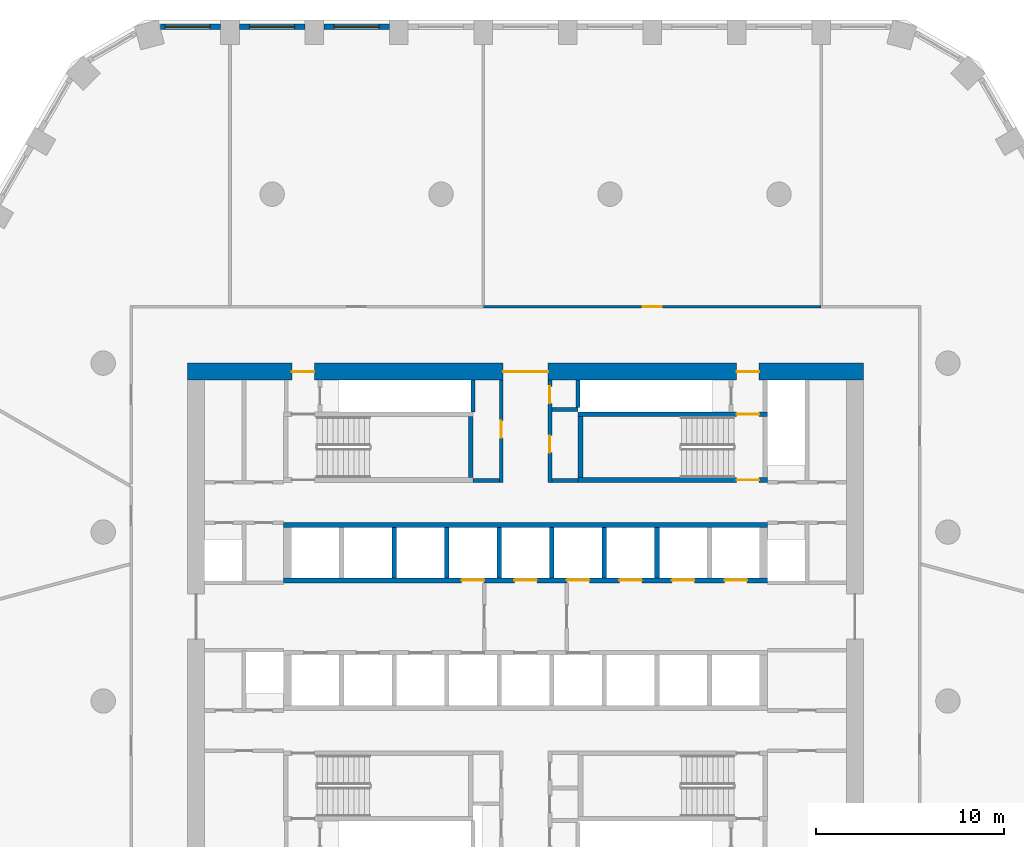
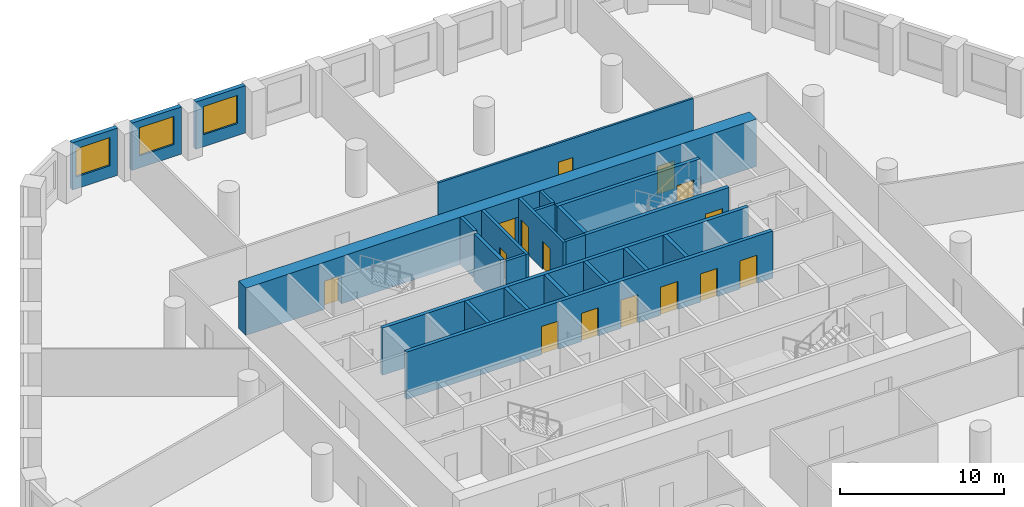
# One storey, part 6 of 9: 24 walls, 15 doors, 3 windows, 18 openings.
"""IFC4 building model written with IfcOpenShell, lengths in metres."""

from ifc_helpers import new_model, si_unit, direction, frame, frame_2d, origin, place, context, subcontext, project, spatial, polyline, rectangle, outline, extrude, material, layer, layer_set, type_object, element, fill, save


model = new_model("IFC4")

# Units and contexts
model_context = context("Model", 3, precision=1e-05, world=origin(), true_north=direction((0.0, 1.0)))
body_context = subcontext(model_context, "Body", "Model", "MODEL_VIEW")
ifc_project = project(units=[si_unit("LENGTHUNIT", "METRE"), si_unit("AREAUNIT", "SQUARE_METRE"), si_unit("VOLUMEUNIT", "CUBIC_METRE"), si_unit("PLANEANGLEUNIT", "RADIAN"), si_unit("MASSUNIT", "GRAM", prefix="KILO")], contexts=[model_context])

# Site, building, storey
site_placement = place(None, origin())
site = spatial("IfcSite", under=ifc_project, at=site_placement, CompositionType="ELEMENT")
building_placement = place(site_placement, origin())
building = spatial("IfcBuilding", under=site, at=building_placement, Name="Dhurran Vertical Campus", CompositionType="ELEMENT")
storey_placement = place(building_placement, frame((0.0, 0.0, 120.300048828125)))
storey = spatial("IfcBuildingStorey", under=building, at=storey_placement, Name="L29", CompositionType="ELEMENT", Elevation=120.300048828125)

# Wall, opening, window
ifc_material_1 = material(Name="Precast concrete C50/60", Category="concrete")
ifc_layer_1 = layer(ifc_material_1, 0.300048828125)
ifc_layer_set_1 = layer_set([ifc_layer_1], Name="Precast concrete C50/60")
wall_type_1 = type_object("IfcWallType", Name="Precast spandrel wall 300", PredefinedType="SOLIDWALL", material=ifc_layer_set_1)
wall_1_placement = place(storey_placement, frame((-7.25048828125, 31.4296875, 0.0), z_axis=(0.0, 0.0, 1.0), x_axis=(-1.0, 0.0, 0.0)))
wall_1 = element("IfcWall", 1, at=wall_1_placement, inside=storey, type_object=wall_type_1, Name="EW1 L29.32", PredefinedType="SOLIDWALL", context=body_context, shape_type="SweptSolid", body=[
    extrude(rectangle(XDim=3.4990234375, YDim=0.300048828125, at=frame_2d((1.74951171875, 0.0))), origin(), (0.0, 0.0, 1.0), 3.52490234375),
])
opening_1_placement = place(wall_1_placement, frame((0.549560546875, 0.0, 0.89990234375)))
opening_1 = element("IfcOpeningElement", 2, at=opening_1_placement, cuts=wall_1, Name="Opening WT1", PredefinedType="OPENING", context=body_context, shape_type="SweptSolid", body=[
    extrude(rectangle(XDim=2.39990234375, YDim=2.10009765625, at=frame_2d((1.199951171875, 1.050048828125))), frame((0.0, 0.159912109375, 0.0), z_axis=(0.0, -1.0, 0.0), x_axis=(1.0, 0.0, 0.0)), (0.0, 0.0, 1.0), 0.320068359375),
])
ifc_material_2 = material(Name="Aluminium frame with solar-control glass", Category="aluminium")
window_type = type_object("IfcWindowType", Name="Punched window 2400 x 2100", PartitioningType="SINGLE_PANEL", PredefinedType="WINDOW", material=ifc_material_2)
window_1_placement = place(opening_1_placement, origin())
window_1 = element("IfcWindow", 3, at=window_1_placement, inside=storey, type_object=window_type, Name="WT1 L29.32", OverallHeight=2.10009765625, OverallWidth=2.39990234375, PartitioningType="SINGLE_PANEL", PredefinedType="WINDOW", context=body_context, shape_type="SweptSolid", body=[
    extrude(rectangle(XDim=2.39990234375, YDim=2.10009765625, at=frame_2d((1.199951171875, 1.050048828125))), frame((0.0, 0.030029296875, 0.0), z_axis=(0.0, -1.0, 0.0), x_axis=(1.0, 0.0, 0.0)), (0.0, 0.0, 1.0), 0.06005859375),
])
fill(opening_1, window_1)

wall_2_placement = place(storey_placement, frame((-11.75048828125, 31.4296875, 0.0), z_axis=(0.0, 0.0, 1.0), x_axis=(-1.0, 0.0, 0.0)))
wall_2 = element("IfcWall", 4, at=wall_2_placement, inside=storey, type_object=wall_type_1, Name="EW1 L29.33", PredefinedType="SOLIDWALL", context=body_context, shape_type="SweptSolid", body=[
    extrude(rectangle(XDim=3.4990234375, YDim=0.300048828125, at=frame_2d((1.74951171875, 0.0))), origin(), (0.0, 0.0, 1.0), 3.52490234375),
])
opening_2_placement = place(wall_2_placement, frame((0.549560546875, 0.0, 0.89990234375)))
opening_2 = element("IfcOpeningElement", 5, at=opening_2_placement, cuts=wall_2, Name="Opening WT1", PredefinedType="OPENING", context=body_context, shape_type="SweptSolid", body=[
    extrude(rectangle(XDim=2.39990234375, YDim=2.10009765625, at=frame_2d((1.199951171875, 1.050048828125))), frame((0.0, 0.159912109375, 0.0), z_axis=(0.0, -1.0, 0.0), x_axis=(1.0, 0.0, 0.0)), (0.0, 0.0, 1.0), 0.320068359375),
])
window_2_placement = place(opening_2_placement, origin())
window_2 = element("IfcWindow", 6, at=window_2_placement, inside=storey, type_object=window_type, Name="WT1 L29.33", OverallHeight=2.10009765625, OverallWidth=2.39990234375, PartitioningType="SINGLE_PANEL", PredefinedType="WINDOW", context=body_context, shape_type="SweptSolid", body=[
    extrude(rectangle(XDim=2.39990234375, YDim=2.10009765625, at=frame_2d((1.199951171875, 1.050048828125))), frame((0.0, 0.030029296875, 0.0), z_axis=(0.0, -1.0, 0.0), x_axis=(1.0, 0.0, 0.0)), (0.0, 0.0, 1.0), 0.06005859375),
])
fill(opening_2, window_2)

wall_3_placement = place(storey_placement, frame((-16.25048828125, 31.4296875, 0.0), z_axis=(0.0, 0.0, 1.0), x_axis=(-1.0, 0.0, 0.0)))
wall_3 = element("IfcWall", 7, at=wall_3_placement, inside=storey, type_object=wall_type_1, Name="EW1 L29.34", PredefinedType="SOLIDWALL", context=body_context, shape_type="SweptSolid", body=[
    extrude(rectangle(XDim=3.1923828125, YDim=0.300048828125, at=frame_2d((1.59619140625, 0.0))), origin(), (0.0, 0.0, 1.0), 3.52490234375),
])
opening_3_placement = place(wall_3_placement, frame((0.549560546875, 0.0, 0.89990234375)))
opening_3 = element("IfcOpeningElement", 8, at=opening_3_placement, cuts=wall_3, Name="Opening WT1", PredefinedType="OPENING", context=body_context, shape_type="SweptSolid", body=[
    extrude(rectangle(XDim=2.39990234375, YDim=2.10009765625, at=frame_2d((1.199951171875, 1.050048828125))), frame((0.0, 0.159912109375, 0.0), z_axis=(0.0, -1.0, 0.0), x_axis=(1.0, 0.0, 0.0)), (0.0, 0.0, 1.0), 0.320068359375),
])
window_3_placement = place(opening_3_placement, origin())
window_3 = element("IfcWindow", 9, at=window_3_placement, inside=storey, type_object=window_type, Name="WT1 L29.34", OverallHeight=2.10009765625, OverallWidth=2.39990234375, PartitioningType="SINGLE_PANEL", PredefinedType="WINDOW", context=body_context, shape_type="SweptSolid", body=[
    extrude(rectangle(XDim=2.39990234375, YDim=2.10009765625, at=frame_2d((1.199951171875, 1.050048828125))), frame((0.0, 0.030029296875, 0.0), z_axis=(0.0, -1.0, 0.0), x_axis=(1.0, 0.0, 0.0)), (0.0, 0.0, 1.0), 0.06005859375),
])
fill(opening_3, window_3)

# Wall, openings, doors
ifc_material_3 = material(Name="Concrete C60/75", Category="concrete")
ifc_layer_2 = layer(ifc_material_3, 0.89990234375)
ifc_layer_set_2 = layer_set([ifc_layer_2], Name="Concrete C60/75")
wall_type_2 = type_object("IfcWallType", Name="co-CORE-WALL-C0-900", PredefinedType="SHEAR", material=ifc_layer_set_2)
wall_4_placement = place(storey_placement, frame((-18.0, 13.050048828125, 0.0), z_axis=(0.0, 0.0, 1.0), x_axis=(1.0, 0.0, 0.0)))
wall_4 = element("IfcWall", 10, at=wall_4_placement, inside=storey, type_object=wall_type_2, Name="Core wall N L29", PredefinedType="SHEAR", context=body_context, shape_type="SweptSolid", body=[
    extrude(rectangle(XDim=36.0, YDim=0.89990234375, at=frame_2d((18.0, 0.0))), origin(), (0.0, 0.0, 1.0), 3.52490234375),
])
opening_4_placement = place(wall_4_placement, frame((16.800048828125, 0.0, 0.0)))
opening_4 = element("IfcOpeningElement", 11, at=opening_4_placement, cuts=wall_4, Name="Opening CV1", PredefinedType="OPENING", context=body_context, shape_type="SweptSolid", body=[
    extrude(rectangle(XDim=2.39990234375, YDim=2.10009765625, at=frame_2d((1.199951171875, 1.050048828125))), frame((0.0, 0.4599609375, 0.0), z_axis=(0.0, -1.0, 0.0), x_axis=(1.0, 0.0, 0.0)), (0.0, 0.0, 1.0), 0.919921875),
])
opening_5_placement = place(wall_4_placement, frame((5.550048828125, 0.0, 0.0)))
opening_5 = element("IfcOpeningElement", 12, at=opening_5_placement, cuts=wall_4, Name="Opening XD1", PredefinedType="OPENING", context=body_context, shape_type="SweptSolid", body=[
    extrude(rectangle(XDim=1.199951171875, YDim=2.10009765625, at=frame_2d((0.60009765625, 1.050048828125))), frame((0.0, 0.4599609375, 0.0), z_axis=(0.0, -1.0, 0.0), x_axis=(1.0, 0.0, 0.0)), (0.0, 0.0, 1.0), 0.919921875),
])
opening_6_placement = place(wall_4_placement, frame((29.25, 0.0, 0.0)))
opening_6 = element("IfcOpeningElement", 13, at=opening_6_placement, cuts=wall_4, Name="Opening XD2", PredefinedType="OPENING", context=body_context, shape_type="SweptSolid", body=[
    extrude(rectangle(XDim=1.199951171875, YDim=2.10009765625, at=frame_2d((0.60009765625, 1.050048828125))), frame((0.0, 0.4599609375, 0.0), z_axis=(0.0, -1.0, 0.0), x_axis=(1.0, 0.0, 0.0)), (0.0, 0.0, 1.0), 0.919921875),
])
ifc_material_4 = material(Name="Fire-rated glazed door set")
door_type_1 = type_object("IfcDoorType", Name="co-D-LOBBY 2400x2100", OperationType="DOUBLE_DOOR_DOUBLE_SWING", PredefinedType="DOOR", material=ifc_material_4)
door_1_placement = place(opening_4_placement, origin())
door_1 = element("IfcDoor", 14, at=door_1_placement, inside=storey, type_object=door_type_1, Name="Core vestibule door N L29", OperationType="DOUBLE_DOOR_DOUBLE_SWING", OverallHeight=2.10009765625, OverallWidth=2.39990234375, PredefinedType="DOOR", context=body_context, shape_type="SweptSolid", body=[
    extrude(rectangle(XDim=2.39990234375, YDim=2.10009765625, at=frame_2d((1.199951171875, 1.050048828125))), frame((0.0, 0.02490234375, 0.0), z_axis=(0.0, -1.0, 0.0), x_axis=(1.0, 0.0, 0.0)), (0.0, 0.0, 1.0), 0.050048828125),
])
fill(opening_4, door_1)
ifc_material_5 = material(Name="Fire-rated steel door set", Category="steel")
door_type_2 = type_object("IfcDoorType", Name="co-D-STAIR-EXIT 1200x2100", OperationType="SINGLE_SWING_RIGHT", PredefinedType="DOOR", material=ifc_material_5)
door_2_placement = place(opening_5_placement, origin())
door_2 = element("IfcDoor", 15, at=door_2_placement, inside=storey, type_object=door_type_2, Name="Stair ST1 exit door L29", OperationType="SINGLE_SWING_RIGHT", OverallHeight=2.10009765625, OverallWidth=1.199951171875, PredefinedType="DOOR", context=body_context, shape_type="SweptSolid", body=[
    extrude(rectangle(XDim=1.199951171875, YDim=2.10009765625, at=frame_2d((0.60009765625, 1.050048828125))), frame((0.0, 0.02490234375, 0.0), z_axis=(0.0, -1.0, 0.0), x_axis=(1.0, 0.0, 0.0)), (0.0, 0.0, 1.0), 0.050048828125),
])
fill(opening_5, door_2)
door_3_placement = place(opening_6_placement, origin())
door_3 = element("IfcDoor", 16, at=door_3_placement, inside=storey, type_object=door_type_2, Name="Stair ST2 exit door L29", OperationType="SINGLE_SWING_RIGHT", OverallHeight=2.10009765625, OverallWidth=1.199951171875, PredefinedType="DOOR", context=body_context, shape_type="SweptSolid", body=[
    extrude(rectangle(XDim=1.199951171875, YDim=2.10009765625, at=frame_2d((0.60009765625, 1.050048828125))), frame((0.0, 0.02490234375, 0.0), z_axis=(0.0, -1.0, 0.0), x_axis=(1.0, 0.0, 0.0)), (0.0, 0.0, 1.0), 0.050048828125),
])
fill(opening_6, door_3)

# Walls
ifc_material_6 = material(Name="Fire-rated masonry blockwork", Category="masonry")
ifc_layer_3 = layer(ifc_material_6, 0.199951171875)
ifc_layer_set_3 = layer_set([ifc_layer_3], Name="Fire-rated masonry blockwork")
wall_type_3 = type_object("IfcWallType", Name="co-FIRE-PARTITION-200", PredefinedType="PARTITIONING", material=ifc_layer_set_3)
for number, where, z_axis, x_axis, name in (
    (17, (-2.800048828125, 7.25, 0.0), (0.0, 0.0, 1.0), (1.0, 0.0, 0.0), "Core partition sl-NW-S L29"),
    (18, (1.39990234375, 7.25, 0.0), (0.0, 0.0, 1.0), (1.0, 0.0, 0.0), "Core partition sl-NE-S L29"),
    (19, (1.39990234375, 11.02490234375, 0.0), (0.0, 0.0, 1.0), (1.0, 0.0, 0.0), "Core partition sl-NE-cut0 L29"),
):
    element("IfcWall", number, at=place(storey_placement, frame(where, z_axis=z_axis, x_axis=x_axis)), inside=storey, type_object=wall_type_3, Name=name, PredefinedType="PARTITIONING", context=body_context, shape_type="SweptSolid", body=[
        extrude(rectangle(XDim=1.400146484375, YDim=0.199951171875, at=frame_2d((0.7001953125, 0.0))), origin(), (0.0, 0.0, 1.0), 3.52490234375),
    ])

# Wall, opening, door
wall_5_placement = place(storey_placement, frame((-1.300048828125, 7.14990234375, 0.0), z_axis=(0.0, 0.0, 1.0), x_axis=(0.0, 1.0, 0.0)))
wall_5 = element("IfcWall", 20, at=wall_5_placement, inside=storey, type_object=wall_type_3, Name="Core partition vest-NW L29", PredefinedType="PARTITIONING", context=body_context, shape_type="SweptSolid", body=[
    extrude(rectangle(XDim=5.4501953125, YDim=0.199951171875, at=frame_2d((2.72509765625, 0.0))), origin(), (0.0, 0.0, 1.0), 3.52490234375),
])
opening_7_placement = place(wall_5_placement, frame((2.375, 0.0, 0.0)))
opening_7 = element("IfcOpeningElement", 21, at=opening_7_placement, cuts=wall_5, Name="Opening T08-C6", PredefinedType="OPENING", context=body_context, shape_type="SweptSolid", body=[
    extrude(rectangle(XDim=0.89990234375, YDim=2.10009765625, at=frame_2d((0.449951171875, 1.050048828125))), frame((0.0, 0.10986328125, 0.0), z_axis=(0.0, -1.0, 0.0), x_axis=(1.0, 0.0, 0.0)), (0.0, 0.0, 1.0), 0.219970703125),
])
ifc_material_7 = material(Name="Fire-rated timber door set", Category="wood")
door_type_3 = type_object("IfcDoorType", Name="co-D-ROOM 900x2100", OperationType="SINGLE_SWING_LEFT", PredefinedType="DOOR", material=ifc_material_7)
door_4_placement = place(opening_7_placement, origin())
door_4 = element("IfcDoor", 22, at=door_4_placement, inside=storey, type_object=door_type_3, Name="Housekeeping store door L29", OperationType="SINGLE_SWING_LEFT", OverallHeight=2.10009765625, OverallWidth=0.89990234375, PredefinedType="DOOR", context=body_context, shape_type="SweptSolid", body=[
    extrude(rectangle(XDim=0.89990234375, YDim=2.10009765625, at=frame_2d((0.449951171875, 1.050048828125))), frame((0.0, 0.02490234375, 0.0), z_axis=(0.0, -1.0, 0.0), x_axis=(1.0, 0.0, 0.0)), (0.0, 0.0, 1.0), 0.050048828125),
])
fill(opening_7, door_4)

# Wall, openings, doors
wall_6_placement = place(storey_placement, frame((1.300048828125, 7.14990234375, 0.0), z_axis=(0.0, 0.0, 1.0), x_axis=(0.0, 1.0, 0.0)))
wall_6 = element("IfcWall", 23, at=wall_6_placement, inside=storey, type_object=wall_type_3, Name="Core partition vest-NE L29", PredefinedType="PARTITIONING", context=body_context, shape_type="SweptSolid", body=[
    extrude(rectangle(XDim=5.4501953125, YDim=0.199951171875, at=frame_2d((2.72509765625, 0.0))), origin(), (0.0, 0.0, 1.0), 3.52490234375),
])
opening_8_placement = place(wall_6_placement, frame((1.58740234375, 0.0, 0.0)))
opening_8 = element("IfcOpeningElement", 24, at=opening_8_placement, cuts=wall_6, Name="Opening T08-C7", PredefinedType="OPENING", context=body_context, shape_type="SweptSolid", body=[
    extrude(rectangle(XDim=0.89990234375, YDim=2.10009765625, at=frame_2d((0.449951171875, 1.050048828125))), frame((0.0, 0.10986328125, 0.0), z_axis=(0.0, -1.0, 0.0), x_axis=(1.0, 0.0, 0.0)), (0.0, 0.0, 1.0), 0.219970703125),
])
opening_9_placement = place(wall_6_placement, frame((4.21240234375, 0.0, 0.0)))
opening_9 = element("IfcOpeningElement", 25, at=opening_9_placement, cuts=wall_6, Name="Opening T08-C8", PredefinedType="OPENING", context=body_context, shape_type="SweptSolid", body=[
    extrude(rectangle(XDim=0.89990234375, YDim=2.10009765625, at=frame_2d((0.449951171875, 1.050048828125))), frame((0.0, 0.10986328125, 0.0), z_axis=(0.0, -1.0, 0.0), x_axis=(1.0, 0.0, 0.0)), (0.0, 0.0, 1.0), 0.219970703125),
])
door_5_placement = place(opening_8_placement, origin())
door_5 = element("IfcDoor", 26, at=door_5_placement, inside=storey, type_object=door_type_3, Name="Fire equipment store door L29", OperationType="SINGLE_SWING_LEFT", OverallHeight=2.10009765625, OverallWidth=0.89990234375, PredefinedType="DOOR", context=body_context, shape_type="SweptSolid", body=[
    extrude(rectangle(XDim=0.89990234375, YDim=2.10009765625, at=frame_2d((0.449951171875, 1.050048828125))), frame((0.0, 0.02490234375, 0.0), z_axis=(0.0, -1.0, 0.0), x_axis=(1.0, 0.0, 0.0)), (0.0, 0.0, 1.0), 0.050048828125),
])
fill(opening_8, door_5)
door_6_placement = place(opening_9_placement, origin())
door_6 = element("IfcDoor", 27, at=door_6_placement, inside=storey, type_object=door_type_3, Name="Communications room door L29", OperationType="SINGLE_SWING_LEFT", OverallHeight=2.10009765625, OverallWidth=0.89990234375, PredefinedType="DOOR", context=body_context, shape_type="SweptSolid", body=[
    extrude(rectangle(XDim=0.89990234375, YDim=2.10009765625, at=frame_2d((0.449951171875, 1.050048828125))), frame((0.0, 0.02490234375, 0.0), z_axis=(0.0, -1.0, 0.0), x_axis=(1.0, 0.0, 0.0)), (0.0, 0.0, 1.0), 0.050048828125),
])
fill(opening_9, door_6)

# Walls
wall_7_placement = place(storey_placement, frame((-2.800048828125, 10.90087890625, 0.0), z_axis=(0.0, 0.0, 1.0), x_axis=(0.0, 1.0, 0.0)))
element("IfcWall", 28, at=wall_7_placement, inside=storey, type_object=wall_type_3, Name="Riser enclosure wall L29", PredefinedType="PARTITIONING", context=body_context, shape_type="SweptSolid", body=[
    extrude(rectangle(XDim=1.6982421875, YDim=0.199951171875, at=frame_2d((0.84912109375, 0.0))), origin(), (0.0, 0.0, 1.0), 3.52490234375),
])
wall_8_placement = place(storey_placement, frame((2.800048828125, 12.59912109375, 0.0), z_axis=(0.0, 0.0, 1.0), x_axis=(0.0, -1.0, 0.0)))
element("IfcWall", 29, at=wall_8_placement, inside=storey, type_object=wall_type_3, Name="Riser enclosure wall L29", PredefinedType="PARTITIONING", context=body_context, shape_type="SweptSolid", body=[
    extrude(rectangle(XDim=1.47314453125, YDim=0.199951171875, at=frame_2d((0.736572265625, 0.0))), origin(), (0.0, 0.0, 1.0), 3.52490234375),
])

# Wall, openings, doors
ifc_material_8 = material(Name="Concrete C50/60", Category="concrete")
ifc_layer_4 = layer(ifc_material_8, 0.25)
ifc_layer_set_4 = layer_set([ifc_layer_4], Name="Concrete C50/60")
wall_type_4 = type_object("IfcWallType", Name="co-SHAFT-FRONT-250", PredefinedType="SHEAR", material=ifc_layer_set_4)
wall_9_placement = place(storey_placement, frame((-12.89990234375, 1.925048828125, 0.0), z_axis=(0.0, 0.0, 1.0), x_axis=(1.0, 0.0, 0.0)))
wall_9 = element("IfcWall", 30, at=wall_9_placement, inside=storey, type_object=wall_type_4, Name="Lift landing wall N L29", PredefinedType="SHEAR", context=body_context, shape_type="SweptSolid", body=[
    extrude(rectangle(XDim=25.7998046875, YDim=0.25, at=frame_2d((12.89990234375, 0.0))), origin(), (0.0, 0.0, 1.0), 3.52490234375),
])
opening_10_placement = place(wall_9_placement, frame((9.5, 0.0, 0.0)))
opening_10 = element("IfcOpeningElement", 31, at=opening_10_placement, cuts=wall_9, Name="Opening LD", PredefinedType="OPENING", context=body_context, shape_type="SweptSolid", body=[
    extrude(rectangle(XDim=1.199951171875, YDim=2.10009765625, at=frame_2d((0.60009765625, 1.050048828125))), frame((0.0, 0.135009765625, 0.0), z_axis=(0.0, -1.0, 0.0), x_axis=(1.0, 0.0, 0.0)), (0.0, 0.0, 1.0), 0.27001953125),
])
opening_11_placement = place(wall_9_placement, frame((12.300048828125, 0.0, 0.0)))
opening_11 = element("IfcOpeningElement", 32, at=opening_11_placement, cuts=wall_9, Name="Opening LD", PredefinedType="OPENING", context=body_context, shape_type="SweptSolid", body=[
    extrude(rectangle(XDim=1.199951171875, YDim=2.10009765625, at=frame_2d((0.60009765625, 1.050048828125))), frame((0.0, 0.135009765625, 0.0), z_axis=(0.0, -1.0, 0.0), x_axis=(1.0, 0.0, 0.0)), (0.0, 0.0, 1.0), 0.27001953125),
])
opening_12_placement = place(wall_9_placement, frame((15.10009765625, 0.0, 0.0)))
opening_12 = element("IfcOpeningElement", 33, at=opening_12_placement, cuts=wall_9, Name="Opening LD", PredefinedType="OPENING", context=body_context, shape_type="SweptSolid", body=[
    extrude(rectangle(XDim=1.199951171875, YDim=2.10009765625, at=frame_2d((0.60009765625, 1.050048828125))), frame((0.0, 0.135009765625, 0.0), z_axis=(0.0, -1.0, 0.0), x_axis=(1.0, 0.0, 0.0)), (0.0, 0.0, 1.0), 0.27001953125),
])
opening_13_placement = place(wall_9_placement, frame((17.89990234375, 0.0, 0.0)))
opening_13 = element("IfcOpeningElement", 34, at=opening_13_placement, cuts=wall_9, Name="Opening LD", PredefinedType="OPENING", context=body_context, shape_type="SweptSolid", body=[
    extrude(rectangle(XDim=1.199951171875, YDim=2.10009765625, at=frame_2d((0.60009765625, 1.050048828125))), frame((0.0, 0.135009765625, 0.0), z_axis=(0.0, -1.0, 0.0), x_axis=(1.0, 0.0, 0.0)), (0.0, 0.0, 1.0), 0.27001953125),
])
opening_14_placement = place(wall_9_placement, frame((20.699951171875, 0.0, 0.0)))
opening_14 = element("IfcOpeningElement", 35, at=opening_14_placement, cuts=wall_9, Name="Opening LD", PredefinedType="OPENING", context=body_context, shape_type="SweptSolid", body=[
    extrude(rectangle(XDim=1.199951171875, YDim=2.10009765625, at=frame_2d((0.60009765625, 1.050048828125))), frame((0.0, 0.135009765625, 0.0), z_axis=(0.0, -1.0, 0.0), x_axis=(1.0, 0.0, 0.0)), (0.0, 0.0, 1.0), 0.27001953125),
])
opening_15_placement = place(wall_9_placement, frame((23.5, 0.0, 0.0)))
opening_15 = element("IfcOpeningElement", 36, at=opening_15_placement, cuts=wall_9, Name="Opening LD", PredefinedType="OPENING", context=body_context, shape_type="SweptSolid", body=[
    extrude(rectangle(XDim=1.199951171875, YDim=2.10009765625, at=frame_2d((0.60009765625, 1.050048828125))), frame((0.0, 0.135009765625, 0.0), z_axis=(0.0, -1.0, 0.0), x_axis=(1.0, 0.0, 0.0)), (0.0, 0.0, 1.0), 0.27001953125),
])
ifc_material_9 = material(Name="Stainless steel landing door", Category="steel")
door_type_4 = type_object("IfcDoorType", Name="co-D-LANDING 1200x2100", OperationType="DOUBLE_DOOR_SLIDING", PredefinedType="DOOR", material=ifc_material_9)
door_7_placement = place(opening_10_placement, origin())
door_7 = element("IfcDoor", 37, at=door_7_placement, inside=storey, type_object=door_type_4, Name="Landing door LR1 L29", OperationType="DOUBLE_DOOR_SLIDING", OverallHeight=2.10009765625, OverallWidth=1.199951171875, PredefinedType="DOOR", context=body_context, shape_type="SweptSolid", body=[
    extrude(rectangle(XDim=1.199951171875, YDim=2.10009765625, at=frame_2d((0.60009765625, 1.050048828125))), frame((0.0, 0.02490234375, 0.0), z_axis=(0.0, -1.0, 0.0), x_axis=(1.0, 0.0, 0.0)), (0.0, 0.0, 1.0), 0.050048828125),
])
fill(opening_10, door_7)
door_8_placement = place(opening_11_placement, origin())
door_8 = element("IfcDoor", 38, at=door_8_placement, inside=storey, type_object=door_type_4, Name="Landing door FF1 L29", OperationType="DOUBLE_DOOR_SLIDING", OverallHeight=2.10009765625, OverallWidth=1.199951171875, PredefinedType="DOOR", context=body_context, shape_type="SweptSolid", body=[
    extrude(rectangle(XDim=1.199951171875, YDim=2.10009765625, at=frame_2d((0.60009765625, 1.050048828125))), frame((0.0, 0.02490234375, 0.0), z_axis=(0.0, -1.0, 0.0), x_axis=(1.0, 0.0, 0.0)), (0.0, 0.0, 1.0), 0.050048828125),
])
fill(opening_11, door_8)
door_9_placement = place(opening_12_placement, origin())
door_9 = element("IfcDoor", 39, at=door_9_placement, inside=storey, type_object=door_type_4, Name="Landing door LR2 L29", OperationType="DOUBLE_DOOR_SLIDING", OverallHeight=2.10009765625, OverallWidth=1.199951171875, PredefinedType="DOOR", context=body_context, shape_type="SweptSolid", body=[
    extrude(rectangle(XDim=1.199951171875, YDim=2.10009765625, at=frame_2d((0.60009765625, 1.050048828125))), frame((0.0, 0.02490234375, 0.0), z_axis=(0.0, -1.0, 0.0), x_axis=(1.0, 0.0, 0.0)), (0.0, 0.0, 1.0), 0.050048828125),
])
fill(opening_12, door_9)
door_10_placement = place(opening_13_placement, origin())
door_10 = element("IfcDoor", 40, at=door_10_placement, inside=storey, type_object=door_type_4, Name="Landing door LR3 L29", OperationType="DOUBLE_DOOR_SLIDING", OverallHeight=2.10009765625, OverallWidth=1.199951171875, PredefinedType="DOOR", context=body_context, shape_type="SweptSolid", body=[
    extrude(rectangle(XDim=1.199951171875, YDim=2.10009765625, at=frame_2d((0.60009765625, 1.050048828125))), frame((0.0, 0.02490234375, 0.0), z_axis=(0.0, -1.0, 0.0), x_axis=(1.0, 0.0, 0.0)), (0.0, 0.0, 1.0), 0.050048828125),
])
fill(opening_13, door_10)
door_11_placement = place(opening_14_placement, origin())
door_11 = element("IfcDoor", 41, at=door_11_placement, inside=storey, type_object=door_type_4, Name="Landing door LR4 L29", OperationType="DOUBLE_DOOR_SLIDING", OverallHeight=2.10009765625, OverallWidth=1.199951171875, PredefinedType="DOOR", context=body_context, shape_type="SweptSolid", body=[
    extrude(rectangle(XDim=1.199951171875, YDim=2.10009765625, at=frame_2d((0.60009765625, 1.050048828125))), frame((0.0, 0.02490234375, 0.0), z_axis=(0.0, -1.0, 0.0), x_axis=(1.0, 0.0, 0.0)), (0.0, 0.0, 1.0), 0.050048828125),
])
fill(opening_14, door_11)
door_12_placement = place(opening_15_placement, origin())
door_12 = element("IfcDoor", 42, at=door_12_placement, inside=storey, type_object=door_type_4, Name="Landing door SV2 L29", OperationType="DOUBLE_DOOR_SLIDING", OverallHeight=2.10009765625, OverallWidth=1.199951171875, PredefinedType="DOOR", context=body_context, shape_type="SweptSolid", body=[
    extrude(rectangle(XDim=1.199951171875, YDim=2.10009765625, at=frame_2d((0.60009765625, 1.050048828125))), frame((0.0, 0.02490234375, 0.0), z_axis=(0.0, -1.0, 0.0), x_axis=(1.0, 0.0, 0.0)), (0.0, 0.0, 1.0), 0.050048828125),
])
fill(opening_15, door_12)

# Walls
ifc_material_10 = material(Name="Concrete C50/60", Category="concrete")
ifc_layer_5 = layer(ifc_material_10, 0.25)
ifc_layer_set_5 = layer_set([ifc_layer_5], Name="Concrete C50/60")
wall_type_5 = type_object("IfcWallType", Name="co-SHAFT-MASS-250", PredefinedType="SHEAR", material=ifc_layer_set_5)
wall_10_placement = place(storey_placement, origin())
element("IfcWall", 43, at=wall_10_placement, inside=storey, type_object=wall_type_5, Name="Lift shaft wall N L29 1", PredefinedType="SHEAR", context=body_context, shape_type="SweptSolid", body=[
    extrude(outline(polyline([(-12.89990234375, 4.75), (12.89990234375, 4.75), (12.89990234375, 5.0), (-12.89990234375, 5.0), (-12.89990234375, 4.75)])), origin(), (0.0, 0.0, 1.0), 3.52490234375),
])
wall_11_placement = place(storey_placement, origin())
element("IfcWall", 44, at=wall_11_placement, inside=storey, type_object=wall_type_5, Name="Lift shaft wall N L29 4", PredefinedType="SHEAR", context=body_context, shape_type="SweptSolid", body=[
    extrude(outline(polyline([(-7.125, 2.050048828125), (-6.875, 2.050048828125), (-6.875, 4.75), (-7.125, 4.75), (-7.125, 2.050048828125)])), origin(), (0.0, 0.0, 1.0), 3.52490234375),
])
wall_12_placement = place(storey_placement, origin())
element("IfcWall", 45, at=wall_12_placement, inside=storey, type_object=wall_type_5, Name="Lift shaft wall N L29 5", PredefinedType="SHEAR", context=body_context, shape_type="SweptSolid", body=[
    extrude(outline(polyline([(-4.324951171875, 2.050048828125), (-4.074951171875, 2.050048828125), (-4.074951171875, 4.75), (-4.324951171875, 4.75), (-4.324951171875, 2.050048828125)])), origin(), (0.0, 0.0, 1.0), 3.52490234375),
])
wall_13_placement = place(storey_placement, origin())
element("IfcWall", 46, at=wall_13_placement, inside=storey, type_object=wall_type_5, Name="Lift shaft wall N L29 6", PredefinedType="SHEAR", context=body_context, shape_type="SweptSolid", body=[
    extrude(outline(polyline([(-1.52490234375, 2.050048828125), (-1.27490234375, 2.050048828125), (-1.27490234375, 4.75), (-1.52490234375, 4.75), (-1.52490234375, 2.050048828125)])), origin(), (0.0, 0.0, 1.0), 3.52490234375),
])
wall_14_placement = place(storey_placement, origin())
element("IfcWall", 47, at=wall_14_placement, inside=storey, type_object=wall_type_5, Name="Lift shaft wall N L29 7", PredefinedType="SHEAR", context=body_context, shape_type="SweptSolid", body=[
    extrude(outline(polyline([(1.27490234375, 2.050048828125), (1.52490234375, 2.050048828125), (1.52490234375, 4.75), (1.27490234375, 4.75), (1.27490234375, 2.050048828125)])), origin(), (0.0, 0.0, 1.0), 3.52490234375),
])
wall_15_placement = place(storey_placement, origin())
element("IfcWall", 48, at=wall_15_placement, inside=storey, type_object=wall_type_5, Name="Lift shaft wall N L29 8", PredefinedType="SHEAR", context=body_context, shape_type="SweptSolid", body=[
    extrude(outline(polyline([(4.074951171875, 2.050048828125), (4.324951171875, 2.050048828125), (4.324951171875, 4.75), (4.074951171875, 4.75), (4.074951171875, 2.050048828125)])), origin(), (0.0, 0.0, 1.0), 3.52490234375),
])
wall_16_placement = place(storey_placement, origin())
element("IfcWall", 49, at=wall_16_placement, inside=storey, type_object=wall_type_5, Name="Lift shaft wall N L29 9", PredefinedType="SHEAR", context=body_context, shape_type="SweptSolid", body=[
    extrude(outline(polyline([(6.875, 2.050048828125), (7.125, 2.050048828125), (7.125, 4.75), (6.875, 4.75), (6.875, 2.050048828125)])), origin(), (0.0, 0.0, 1.0), 3.52490234375),
])
ifc_material_11 = material(Name="Concrete C40/50", Category="concrete")
ifc_layer_6 = layer(ifc_material_11, 0.25)
ifc_layer_set_6 = layer_set([ifc_layer_6], Name="Concrete C40/50")
wall_type_6 = type_object("IfcWallType", Name="co-STAIR-WALL-250", PredefinedType="SHEAR", material=ifc_layer_set_6)
wall_17_placement = place(storey_placement, frame((-2.925048828125, 7.39990234375, 0.0), z_axis=(0.0, 0.0, 1.0), x_axis=(0.0, 1.0, 0.0)))
element("IfcWall", 50, at=wall_17_placement, inside=storey, type_object=wall_type_6, Name="Stair ST1 enclosure wall L29", PredefinedType="SHEAR", context=body_context, shape_type="SweptSolid", body=[
    extrude(rectangle(XDim=3.25, YDim=0.25, at=frame_2d((1.625, 0.0))), origin(), (0.0, 0.0, 1.0), 3.52490234375),
])

# Wall, opening, door
wall_18_placement = place(storey_placement, frame((2.800048828125, 7.27490234375, 0.0), z_axis=(0.0, 0.0, 1.0), x_axis=(1.0, 0.0, 0.0)))
wall_18 = element("IfcWall", 51, at=wall_18_placement, inside=storey, type_object=wall_type_6, Name="Stair ST2 enclosure wall L29", PredefinedType="SHEAR", context=body_context, shape_type="SweptSolid", body=[
    extrude(rectangle(XDim=10.099853515625, YDim=0.25, at=frame_2d((5.0498046875, 0.0))), origin(), (0.0, 0.0, 1.0), 3.52490234375),
])
opening_16_placement = place(wall_18_placement, frame((8.449951171875, 0.0, 0.0)))
opening_16 = element("IfcOpeningElement", 52, at=opening_16_placement, cuts=wall_18, Name="Opening SD2", PredefinedType="OPENING", context=body_context, shape_type="SweptSolid", body=[
    extrude(rectangle(XDim=1.199951171875, YDim=2.10009765625, at=frame_2d((0.60009765625, 1.050048828125))), frame((0.0, 0.135009765625, 0.0), z_axis=(0.0, -1.0, 0.0), x_axis=(1.0, 0.0, 0.0)), (0.0, 0.0, 1.0), 0.27001953125),
])
ifc_material_12 = material(Name="Fire-rated steel door set", Category="steel")
door_type_5 = type_object("IfcDoorType", Name="co-D-STAIR 1200x2100", OperationType="SINGLE_SWING_LEFT", PredefinedType="DOOR", material=ifc_material_12)
door_13_placement = place(opening_16_placement, origin())
door_13 = element("IfcDoor", 53, at=door_13_placement, inside=storey, type_object=door_type_5, Name="Stair ST2 door L29", OperationType="SINGLE_SWING_LEFT", OverallHeight=2.10009765625, OverallWidth=1.199951171875, PredefinedType="DOOR", context=body_context, shape_type="SweptSolid", body=[
    extrude(rectangle(XDim=1.199951171875, YDim=2.10009765625, at=frame_2d((0.60009765625, 1.050048828125))), frame((0.0, 0.02490234375, 0.0), z_axis=(0.0, -1.0, 0.0), x_axis=(1.0, 0.0, 0.0)), (0.0, 0.0, 1.0), 0.050048828125),
])
fill(opening_16, door_13)

wall_19_placement = place(storey_placement, frame((2.800048828125, 10.77490234375, 0.0), z_axis=(0.0, 0.0, 1.0), x_axis=(1.0, 0.0, 0.0)))
wall_19 = element("IfcWall", 54, at=wall_19_placement, inside=storey, type_object=wall_type_6, Name="Stair ST2 enclosure wall L29", PredefinedType="SHEAR", context=body_context, shape_type="SweptSolid", body=[
    extrude(rectangle(XDim=10.099853515625, YDim=0.25, at=frame_2d((5.0498046875, 0.0))), origin(), (0.0, 0.0, 1.0), 3.52490234375),
])
opening_17_placement = place(wall_19_placement, frame((8.449951171875, 0.0, 0.0)))
opening_17 = element("IfcOpeningElement", 55, at=opening_17_placement, cuts=wall_19, Name="Opening XS2", PredefinedType="OPENING", context=body_context, shape_type="SweptSolid", body=[
    extrude(rectangle(XDim=1.199951171875, YDim=2.10009765625, at=frame_2d((0.60009765625, 1.050048828125))), frame((0.0, 0.135009765625, 0.0), z_axis=(0.0, -1.0, 0.0), x_axis=(1.0, 0.0, 0.0)), (0.0, 0.0, 1.0), 0.27001953125),
])
door_14_placement = place(opening_17_placement, origin())
door_14 = element("IfcDoor", 56, at=door_14_placement, inside=storey, type_object=door_type_2, Name="Stair ST2 discharge door L29", OperationType="SINGLE_SWING_RIGHT", OverallHeight=2.10009765625, OverallWidth=1.199951171875, PredefinedType="DOOR", context=body_context, shape_type="SweptSolid", body=[
    extrude(rectangle(XDim=1.199951171875, YDim=2.10009765625, at=frame_2d((0.60009765625, 1.050048828125))), frame((0.0, 0.02490234375, 0.0), z_axis=(0.0, -1.0, 0.0), x_axis=(1.0, 0.0, 0.0)), (0.0, 0.0, 1.0), 0.050048828125),
])
fill(opening_17, door_14)

# Wall
wall_20_placement = place(storey_placement, frame((2.925048828125, 7.39990234375, 0.0), z_axis=(0.0, 0.0, 1.0), x_axis=(0.0, 1.0, 0.0)))
element("IfcWall", 57, at=wall_20_placement, inside=storey, type_object=wall_type_6, Name="Stair ST2 enclosure wall L29", PredefinedType="SHEAR", context=body_context, shape_type="SweptSolid", body=[
    extrude(rectangle(XDim=3.25, YDim=0.25, at=frame_2d((1.625, 0.0))), origin(), (0.0, 0.0, 1.0), 3.52490234375),
])

# Wall, opening, door
ifc_material_13 = material(Name="Gypsum board corridor wall on steel studs", Category="steel")
ifc_layer_7 = layer(ifc_material_13, 0.14990234375)
ifc_layer_set_7 = layer_set([ifc_layer_7], Name="Gypsum board corridor wall on steel studs")
wall_type_7 = type_object("IfcWallType", Name="fl-CW-150 corridor wall", PredefinedType="PARTITIONING", material=ifc_layer_set_7)
wall_21_placement = place(storey_placement, frame((15.75, 16.5, 0.0), z_axis=(0.0, 0.0, 1.0), x_axis=(-1.0, 0.0, 0.0)))
wall_21 = element("IfcWall", 58, at=wall_21_placement, inside=storey, type_object=wall_type_7, Name="Partition 29-21", PredefinedType="PARTITIONING", context=body_context, shape_type="SweptSolid", body=[
    extrude(rectangle(XDim=18.0, YDim=0.14990234375, at=frame_2d((9.0, 0.0))), origin(), (0.0, 0.0, 1.0), 3.52490234375),
])
opening_18_placement = place(wall_21_placement, frame((8.5, 0.0, 0.0)))
opening_18 = element("IfcOpeningElement", 59, at=opening_18_placement, cuts=wall_21, Name="Opening T08.09", PredefinedType="OPENING", context=body_context, shape_type="SweptSolid", body=[
    extrude(rectangle(XDim=1.0, YDim=2.10009765625, at=frame_2d((0.5, 1.050048828125))), frame((0.0, 0.0849609375, 0.0), z_axis=(0.0, -1.0, 0.0), x_axis=(1.0, 0.0, 0.0)), (0.0, 0.0, 1.0), 0.169921875),
])
ifc_material_14 = material(Name="Solid-core timber door set, fire-rated", Category="wood")
door_type_6 = type_object("IfcDoorType", Name="fl-D-1000x2100", OperationType="SINGLE_SWING_LEFT", PredefinedType="DOOR", material=ifc_material_14)
door_15_placement = place(opening_18_placement, origin())
door_15 = element("IfcDoor", 60, at=door_15_placement, inside=storey, type_object=door_type_6, Name="Door 29.09", OperationType="SINGLE_SWING_LEFT", OverallHeight=2.10009765625, OverallWidth=1.0, PredefinedType="DOOR", context=body_context, shape_type="SweptSolid", body=[
    extrude(rectangle(XDim=1.0, YDim=2.10009765625, at=frame_2d((0.5, 1.050048828125))), frame((0.0, 0.02490234375, 0.0), z_axis=(0.0, -1.0, 0.0), x_axis=(1.0, 0.0, 0.0)), (0.0, 0.0, 1.0), 0.050048828125),
])
fill(opening_18, door_15)

save(model, "model.ifc")
